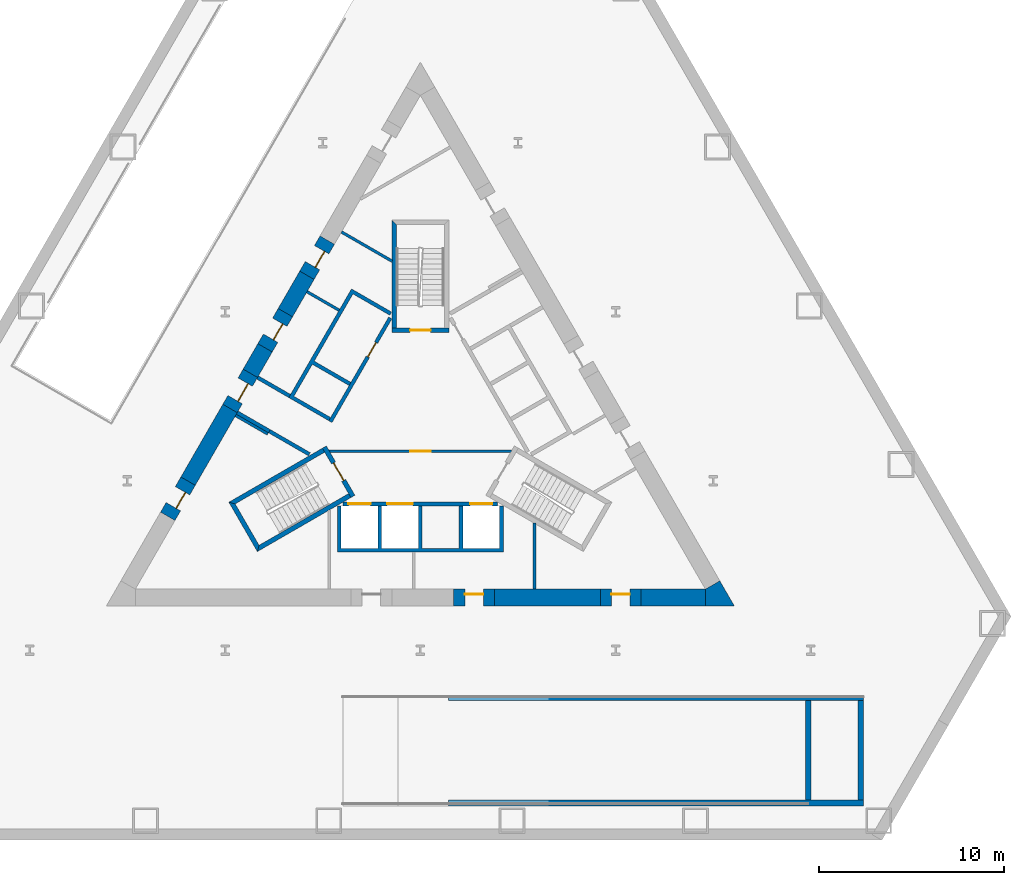
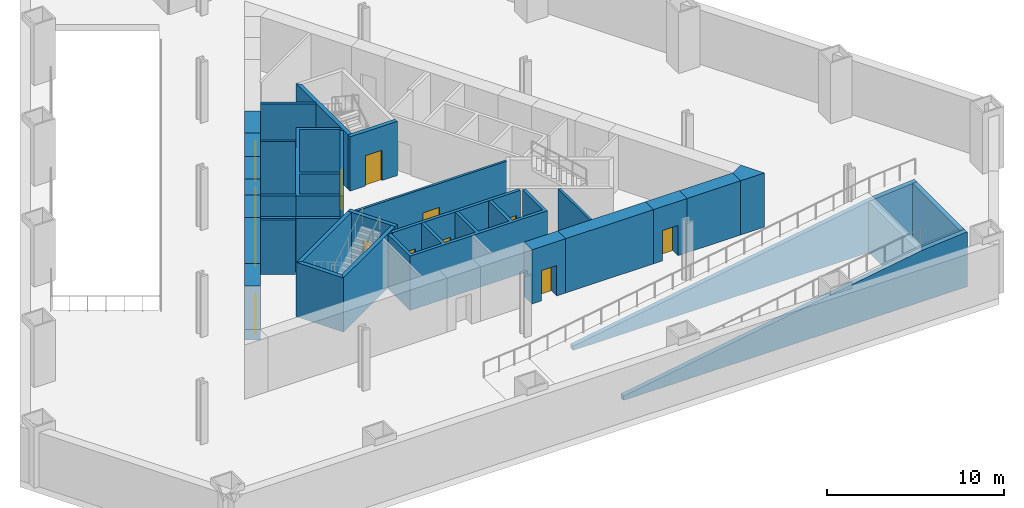
# One storey, part 2 of 5: 34 walls, 13 doors, 13 openings.
"""IFC4 building model written with IfcOpenShell, lengths in metres."""

import ifcopenshell
import ifcopenshell.guid

model = None  # the IFC model being written
_history = None  # IfcOwnerHistory: only IFC2X3 demands one
_inside = {}  # id of a spatial element -> (the spatial element, [elements in it])
_under = {}  # id of a project, library or spatial element -> (it, [spatial elements below it])
_declared = {}  # id of a project -> (the project, [libraries it declares])
_typed = {}  # id of a type object -> (the type object, [elements of that type])
_made_of = {}  # id of a material, layer set ... -> (it, [elements and type objects made of it])


def new_model(schema):
    """Start an empty IFC model of exactly this schema.

    Asked for "IFC4X3", IfcOpenShell would pick the latest addendum, in which some entities
    have other attributes; the version numbers below select the first issue.
    IFC2X3 requires an IfcOwnerHistory on every rooted entity: one is made here for all.
    """
    global model, _history
    if schema == "IFC4X3":
        model = ifcopenshell.file(schema_version=(4, 3, 0, 0))
    else:
        model = ifcopenshell.file(schema=schema)
    _inside.clear()
    _under.clear()
    _declared.clear()
    _typed.clear()
    _made_of.clear()
    _history = None
    if model.schema == "IFC2X3":
        org = make("IfcOrganization", Name="unknown")
        user = make(
            "IfcPersonAndOrganization",
            ThePerson=make("IfcPerson", FamilyName="unknown"),
            TheOrganization=org,
        )
        app = make(
            "IfcApplication",
            ApplicationDeveloper=org,
            Version="unknown",
            ApplicationFullName="unknown",
            ApplicationIdentifier="unknown",
        )
        _history = make(
            "IfcOwnerHistory",
            OwningUser=user,
            OwningApplication=app,
            ChangeAction="ADDED",
            CreationDate=0,
        )
    return model


def make(cls, **values):
    """One entity of the class cls with the attributes given. An attribute that is None is left unset."""
    return model.create_entity(
        cls, **{name: value for name, value in values.items() if value is not None}
    )


def rooted(cls, **values):
    """An entity with a GlobalId (a new one), such as an element, a storey or a relation."""
    return make(cls, GlobalId=ifcopenshell.guid.new(), OwnerHistory=_history, **values)


def si_unit(unit_type, name, prefix=None):
    """IfcSIUnit, for example si_unit("LENGTHUNIT", "METRE", prefix="MILLI")."""
    return make("IfcSIUnit", UnitType=unit_type, Prefix=prefix, Name=name)


def assignment(units):
    """IfcUnitAssignment: the units of a project."""
    return None if units is None else make("IfcUnitAssignment", Units=units)


def point(xyz):
    """IfcCartesianPoint."""
    return None if xyz is None else make("IfcCartesianPoint", Coordinates=xyz)


def direction(xyz):
    """IfcDirection."""
    return None if xyz is None else make("IfcDirection", DirectionRatios=xyz)


def frame(location, z_axis=None, x_axis=None):
    """IfcAxis2Placement3D, a coordinate frame: its origin and axes. An axis left out is left unset."""
    return make(
        "IfcAxis2Placement3D",
        Location=point(location),
        Axis=direction(z_axis),
        RefDirection=direction(x_axis),
    )


def frame_2d(location, x_axis=None):
    """IfcAxis2Placement2D, a coordinate frame in the plane: its origin and x axis."""
    return make(
        "IfcAxis2Placement2D", Location=point(location), RefDirection=direction(x_axis)
    )


def origin():
    """The frame at (0, 0, 0) with its axes left unset."""
    return frame((0.0, 0.0, 0.0))


def place(relative_to, where):
    """IfcLocalPlacement: puts the frame where relative to a parent placement (None: the world)."""
    return make(
        "IfcLocalPlacement", PlacementRelTo=relative_to, RelativePlacement=where
    )


def context(
    kind, dimensions, precision=None, world=None, true_north=None, identifier=None
):
    """IfcGeometricRepresentationContext, for example the 3D "Model" context."""
    return make(
        "IfcGeometricRepresentationContext",
        ContextIdentifier=identifier,
        ContextType=kind,
        CoordinateSpaceDimension=dimensions,
        Precision=precision,
        WorldCoordinateSystem=world,
        TrueNorth=true_north,
    )


def subcontext(parent, identifier, kind, view, scale=None):
    """IfcGeometricRepresentationSubContext, for example "Body" below "Model"."""
    return make(
        "IfcGeometricRepresentationSubContext",
        ContextIdentifier=identifier,
        ContextType=kind,
        ParentContext=parent,
        TargetScale=scale,
        TargetView=view,
    )


def project(units=None, contexts=None):
    """IfcProject with its units and contexts."""
    return rooted(
        "IfcProject",
        Name="project",
        RepresentationContexts=contexts,
        UnitsInContext=assignment(units),
    )


def spatial(cls, under=None, at=None, **own):
    """A site, building, storey or space (cls), placed at a placement, below another one or the project."""
    s = rooted(cls, ObjectPlacement=at, **own)
    if under is not None:
        _under.setdefault(under.id(), (under, []))[1].append(s)
    return s


def polyline(points):
    """IfcPolyline through the points."""
    return make("IfcPolyline", Points=[point(p) for p in points])


def profile(cls, at=None, kind="AREA", **sizes):
    """A parametric profile (cls). Its sizes go by their IFC names, for example OverallWidth=200.0."""
    return make(cls, ProfileType=kind, Position=at, **sizes)


def rectangle(**sizes):
    """IfcRectangleProfileDef."""
    return profile("IfcRectangleProfileDef", **sizes)


def outline(outer, holes=None, kind="AREA"):
    """IfcArbitraryClosedProfileDef: a profile drawn as a closed curve; with holes, ...WithVoids."""
    if holes is None:
        return make("IfcArbitraryClosedProfileDef", ProfileType=kind, OuterCurve=outer)
    return make(
        "IfcArbitraryProfileDefWithVoids",
        ProfileType=kind,
        OuterCurve=outer,
        InnerCurves=holes,
    )


def extrude(swept, where, along, depth):
    """IfcExtrudedAreaSolid: the profile swept, set in the frame where, extruded along a direction by depth."""
    return make(
        "IfcExtrudedAreaSolid",
        SweptArea=swept,
        Position=where,
        ExtrudedDirection=direction(along),
        Depth=depth,
    )


def shape(context_of_items, identifier, shape_type, items):
    """IfcShapeRepresentation: the items that make up one representation, for example the "Body"."""
    return make(
        "IfcShapeRepresentation",
        ContextOfItems=context_of_items,
        RepresentationIdentifier=identifier,
        RepresentationType=shape_type,
        Items=items,
    )


def material(Name=None, Category=None):
    """IfcMaterial."""
    return make("IfcMaterial", Name=Name, Category=Category)


def layer(
    of_material, thickness, ventilated=None, Name=None, Category=None, Priority=None
):
    """IfcMaterialLayer: one layer of a wall or slab, of a material (None: an air gap)."""
    return make(
        "IfcMaterialLayer",
        Material=of_material,
        LayerThickness=thickness,
        IsVentilated=ventilated,
        Name=Name,
        Category=Category,
        Priority=Priority,
    )


def layer_set(layers, Name=None):
    """IfcMaterialLayerSet."""
    return make("IfcMaterialLayerSet", MaterialLayers=layers, LayerSetName=Name)


def made_of(thing, what):
    """Note that an element or type object is made of a material, layer set ...; save() writes the relation."""
    if what is not None:
        _made_of.setdefault(what.id(), (what, []))[1].append(thing)
    return thing


def type_object(cls, material=None, **own):
    """A type object (cls), such as IfcWallType, which elements share."""
    return made_of(rooted(cls, **own), material)


def element(
    cls,
    number,
    at=None,
    inside=None,
    cuts=None,
    type_object=None,
    material=None,
    context=None,
    identifier="Body",
    shape_type=None,
    held_by="IfcProductDefinitionShape",
    body=None,
    shapes=None,
    **own,
):
    """One element of the class cls, such as IfcWall. Its Tag is "e" and its number.

    at: its placement. inside: the storey or other place that contains it. cuts: it is an
    opening in that element (IfcRelVoidsElement). A single representation is given by context,
    identifier, shape_type and body (its items); several are given by shapes. held_by: the class
    of the entity that holds the representations. save() writes the other relations.
    """
    e = rooted(cls, Tag="e%d" % number, ObjectPlacement=at, **own)
    if body is not None:
        shapes = [shape(context, identifier, shape_type, body)]
    if shapes is not None:
        e.Representation = make(held_by, Representations=shapes)
    if inside is not None:
        _inside.setdefault(inside.id(), (inside, []))[1].append(e)
    if cuts is not None:
        rooted(
            "IfcRelVoidsElement", RelatingBuildingElement=cuts, RelatedOpeningElement=e
        )
    if type_object is not None:
        _typed.setdefault(type_object.id(), (type_object, []))[1].append(e)
    return made_of(e, material)


def fill(opening, filler):
    """IfcRelFillsElement: the door or window that sits in an opening."""
    return rooted(
        "IfcRelFillsElement",
        RelatingOpeningElement=opening,
        RelatedBuildingElement=filler,
    )


def aggregate(whole, parts):
    """IfcRelAggregates: a whole, such as a stair, and the parts it consists of."""
    return rooted("IfcRelAggregates", RelatingObject=whole, RelatedObjects=parts)


def save(model, path):
    """Write the relations noted so far, then the file.

    IfcRelAggregates (storeys below a building ...), IfcRelContainedInSpatialStructure (elements
    in a storey), IfcRelDefinesByType, IfcRelAssociatesMaterial and IfcRelDeclares: one each for
    every whole, place, type object, material and project.
    """
    for whole, parts in _under.values():
        aggregate(whole, parts)
    for where, things in _inside.values():
        rooted(
            "IfcRelContainedInSpatialStructure",
            RelatedElements=things,
            RelatingStructure=where,
        )
    for kind, things in _typed.values():
        rooted("IfcRelDefinesByType", RelatedObjects=things, RelatingType=kind)
    for what, things in _made_of.values():
        rooted("IfcRelAssociatesMaterial", RelatedObjects=things, RelatingMaterial=what)
    for by, libraries in _declared.values():
        rooted("IfcRelDeclares", RelatingContext=by, RelatedDefinitions=libraries)
    model.write(path)


model = new_model("IFC4")

# Units and contexts
model_context = context("Model", 3, precision=1e-05, world=origin(), true_north=direction((0.0, 1.0)))
body_context = subcontext(model_context, "Body", "Model", "MODEL_VIEW")
ifc_project = project(units=[si_unit("LENGTHUNIT", "METRE"), si_unit("AREAUNIT", "SQUARE_METRE"), si_unit("VOLUMEUNIT", "CUBIC_METRE"), si_unit("PLANEANGLEUNIT", "RADIAN"), si_unit("MASSUNIT", "GRAM", prefix="KILO")], contexts=[model_context])

# Site, building, storey
site_placement = place(None, origin())
site = spatial("IfcSite", under=ifc_project, at=site_placement, CompositionType="ELEMENT")
building_placement = place(site_placement, origin())
building = spatial("IfcBuilding", under=site, at=building_placement, Name="Cormorant Prow Tower", CompositionType="ELEMENT")
storey_placement = place(building_placement, frame((0.0, 0.0, -4.199951171875)))
storey = spatial("IfcBuildingStorey", under=building, at=storey_placement, Name="B1", CompositionType="ELEMENT", Elevation=-4.199951171875)

# Wall, opening, door
ifc_material_1 = material(Name="Gypsum board partition")
ifc_layer_1 = layer(ifc_material_1, 0.14990234375)
ifc_layer_set_1 = layer_set([ifc_layer_1], Name="Gypsum board partition")
wall_type_1 = type_object("IfcWallType", Name="Core partition 150", PredefinedType="PARTITIONING", material=ifc_layer_set_1)
wall_1_placement = place(storey_placement, frame((-4.941162109375, -1.449951171875, 0.0), z_axis=(0.0, 0.0, 1.0), x_axis=(1.0, 0.0, 0.0)))
wall_1 = element("IfcWall", 1, at=wall_1_placement, inside=storey, type_object=wall_type_1, Name="Firefighting lobby partition", PredefinedType="PARTITIONING", context=body_context, shape_type="SweptSolid", body=[
    extrude(rectangle(XDim=9.88232421875, YDim=0.14990234375, at=frame_2d((4.941162109375, 0.0))), origin(), (0.0, 0.0, 1.0), 3.75),
])
opening_1_placement = place(wall_1_placement, frame((4.39111328125, 0.0, 0.0)))
opening_1 = element("IfcOpeningElement", 2, at=opening_1_placement, cuts=wall_1, Name="Opening B1-C06", PredefinedType="OPENING", context=body_context, shape_type="SweptSolid", body=[
    extrude(rectangle(XDim=1.10009765625, YDim=2.10009765625, at=frame_2d((0.550048828125, 1.050048828125))), frame((0.0, 0.0849609375, 0.0), z_axis=(0.0, -1.0, 0.0), x_axis=(1.0, 0.0, 0.0)), (0.0, 0.0, 1.0), 0.169921875),
])
ifc_material_2 = material(Name="Painted steel", Category="steel")
door_type_1 = type_object("IfcDoorType", Name="Firefighting lobby door 1100x2100", OperationType="NOTDEFINED", PredefinedType="DOOR", material=ifc_material_2)
door_1_placement = place(opening_1_placement, origin())
door_1 = element("IfcDoor", 3, at=door_1_placement, inside=storey, type_object=door_type_1, Name="Firefighting lobby door", OperationType="SINGLE_SWING_LEFT", OverallHeight=2.10009765625, OverallWidth=1.10009765625, PredefinedType="DOOR", context=body_context, shape_type="SweptSolid", body=[
    extrude(rectangle(XDim=1.10009765625, YDim=2.10009765625, at=frame_2d((0.550048828125, 1.050048828125))), frame((0.0, 0.02490234375, 0.0), z_axis=(0.0, -1.0, 0.0), x_axis=(1.0, 0.0, 0.0)), (0.0, 0.0, 1.0), 0.050048828125),
])
fill(opening_1, door_1)

# Walls
wall_2_placement = place(storey_placement, frame((-8.268310546875, -0.509033203125, 0.0), z_axis=(0.0, 0.0, 1.0), x_axis=(-0.866035824272, 0.499981950752, 0.0)))
element("IfcWall", 4, at=wall_2_placement, inside=storey, type_object=wall_type_1, Name="Service room partition", PredefinedType="PARTITIONING", context=body_context, shape_type="SweptSolid", body=[
    extrude(rectangle(XDim=2.0087890625, YDim=0.14990234375, at=frame_2d((1.00439453125, 0.0))), origin(), (0.0, 0.0, 1.0), 3.75),
])
wall_3_placement = place(storey_placement, frame((6.176513671875, -8.9150390625, 0.0), z_axis=(0.0, 0.0, 1.0), x_axis=(0.0, 1.0, 0.0)))
element("IfcWall", 5, at=wall_3_placement, inside=storey, type_object=wall_type_1, Name="Service room partition", PredefinedType="PARTITIONING", context=body_context, shape_type="SweptSolid", body=[
    extrude(rectangle(XDim=3.576171875, YDim=0.14990234375, at=frame_2d((1.7880859375, 0.0))), origin(), (0.0, 0.0, 1.0), 3.75),
])
wall_4_placement = place(storey_placement, frame((-6.139404296875, 7.196044921875, 0.0), z_axis=(0.0, 0.0, 1.0), x_axis=(0.866035824272, -0.499981950752, 0.0)))
element("IfcWall", 6, at=wall_4_placement, inside=storey, type_object=wall_type_1, Name="Service room partition", PredefinedType="PARTITIONING", context=body_context, shape_type="SweptSolid", body=[
    extrude(rectangle(XDim=2.0087890625, YDim=0.14990234375, at=frame_2d((1.00439453125, 0.0))), origin(), (0.0, 0.0, 1.0), 3.75),
])
wall_5_placement = place(storey_placement, frame((-4.271240234375, 10.431640625, 0.0), z_axis=(0.0, 0.0, 1.0), x_axis=(0.866018279777, -0.50001233894, 0.0)))
element("IfcWall", 7, at=wall_5_placement, inside=storey, type_object=wall_type_1, Name="Service room partition", PredefinedType="PARTITIONING", context=body_context, shape_type="SweptSolid", body=[
    extrude(rectangle(XDim=3.1591796875, YDim=0.14990234375, at=frame_2d((1.57958984375, 0.0))), origin(), (0.0, 0.0, 1.0), 3.75),
])
ifc_material_3 = material(Name="Concrete 8000 psi", Category="concrete")
ifc_layer_2 = layer(ifc_material_3, 0.89990234375)
ifc_layer_set_2 = layer_set([ifc_layer_2], Name="Concrete 8000 psi")
wall_type_2 = type_object("IfcWallType", Name="Core shear wall 900", PredefinedType="SHEAR", material=ifc_layer_set_2)
wall_6_placement = place(storey_placement, frame((4.007568359375, -9.364990234375, 0.0), z_axis=(0.0, 0.0, 1.0), x_axis=(1.0, 0.0, 0.0)))
element("IfcWall", 8, at=wall_6_placement, inside=storey, type_object=wall_type_2, Name="Core wall", PredefinedType="SHEAR", context=body_context, shape_type="SweptSolid", body=[
    extrude(rectangle(XDim=5.73876953125, YDim=0.89990234375, at=frame_2d((2.869384765625, 0.0))), origin(), (0.0, 0.0, 1.0), 3.75),
])
wall_7_placement = place(storey_placement, frame((11.9462890625, -9.364990234375, 0.0), z_axis=(0.0, 0.0, 1.0), x_axis=(1.0, 0.0, 0.0)))
element("IfcWall", 9, at=wall_7_placement, inside=storey, type_object=wall_type_2, Name="Core wall", PredefinedType="SHEAR", context=body_context, shape_type="SweptSolid", body=[
    extrude(rectangle(XDim=3.494873046875, YDim=0.89990234375, at=frame_2d((1.74755859375, 0.0))), origin(), (0.0, 0.0, 1.0), 3.75),
])
wall_8_placement = place(storey_placement, frame((-10.310302734375, 0.8720703125, 0.0), z_axis=(0.0, 0.0, 1.0), x_axis=(-0.499968858743, -0.866043382451, 0.0)))
element("IfcWall", 10, at=wall_8_placement, inside=storey, type_object=wall_type_2, Name="Core wall", PredefinedType="SHEAR", context=body_context, shape_type="SweptSolid", body=[
    extrude(rectangle(XDim=4.545654296875, YDim=0.89990234375, at=frame_2d((2.27294921875, 0.0))), origin(), (0.0, 0.0, 1.0), 3.75),
])
wall_9_placement = place(storey_placement, frame((-6.14501953125, 8.086181640625, 0.0), z_axis=(0.0, 0.0, 1.0), x_axis=(-0.500026924946, -0.866009858102, 0.0)))
element("IfcWall", 11, at=wall_9_placement, inside=storey, type_object=wall_type_2, Name="Core wall", PredefinedType="SHEAR", context=body_context, shape_type="SweptSolid", body=[
    extrude(rectangle(XDim=2.336669921875, YDim=0.89990234375, at=frame_2d((1.16845703125, 0.0))), origin(), (0.0, 0.0, 1.0), 3.75),
])
wall_10_placement = place(storey_placement, frame((-8.413330078125, 4.157470703125, 0.0), z_axis=(0.0, 0.0, 1.0), x_axis=(-0.499961121316, -0.86604784924, 0.0)))
element("IfcWall", 12, at=wall_10_placement, inside=storey, type_object=wall_type_2, Name="Core wall", PredefinedType="SHEAR", context=body_context, shape_type="SweptSolid", body=[
    extrude(rectangle(XDim=1.593994140625, YDim=0.89990234375, at=frame_2d((0.796875, 0.0))), origin(), (0.0, 0.0, 1.0), 3.75),
])
wall_11_placement = place(storey_placement, origin())
element("IfcWall", 13, at=wall_11_placement, inside=storey, type_object=wall_type_2, Name="Core wall corner", PredefinedType="SHEAR", context=body_context, shape_type="SweptSolid", body=[
    extrude(outline(polyline([(15.441162109375, -9.81494140625), (15.441162109375, -8.9150390625), (16.220703125, -8.465087890625), (17.0, -9.81494140625), (15.441162109375, -9.81494140625)])), origin(), (0.0, 0.0, 1.0), 3.75),
])

# Wall, opening, door
wall_12_placement = place(storey_placement, frame((1.8076171875, -9.364990234375, 0.0), z_axis=(0.0, 0.0, 1.0), x_axis=(1.0, 0.0, 0.0)))
wall_12 = element("IfcWall", 14, at=wall_12_placement, inside=storey, type_object=wall_type_2, Name="Core wall door panel", PredefinedType="SHEAR", context=body_context, shape_type="SweptSolid", body=[
    extrude(rectangle(XDim=2.199951171875, YDim=0.89990234375, at=frame_2d((1.10009765625, 0.0))), origin(), (0.0, 0.0, 1.0), 3.75),
])
opening_2_placement = place(wall_12_placement, frame((0.60009765625, 0.0, 0.0)))
opening_2 = element("IfcOpeningElement", 15, at=opening_2_placement, cuts=wall_12, Name="Opening B1-C11", PredefinedType="OPENING", context=body_context, shape_type="SweptSolid", body=[
    extrude(rectangle(XDim=1.0, YDim=2.10009765625, at=frame_2d((0.5, 1.050048828125))), frame((0.0, 0.4599609375, 0.0), z_axis=(0.0, -1.0, 0.0), x_axis=(1.0, 0.0, 0.0)), (0.0, 0.0, 1.0), 0.919921875),
])
ifc_material_4 = material(Name="Painted steel", Category="steel")
door_type_2 = type_object("IfcDoorType", Name="Service door 1000x2100", OperationType="NOTDEFINED", PredefinedType="DOOR", material=ifc_material_4)
door_2_placement = place(opening_2_placement, origin())
door_2 = element("IfcDoor", 16, at=door_2_placement, inside=storey, type_object=door_type_2, Name="Core door, Electrical room", OperationType="SINGLE_SWING_RIGHT", OverallHeight=2.10009765625, OverallWidth=1.0, PredefinedType="DOOR", context=body_context, shape_type="SweptSolid", body=[
    extrude(rectangle(XDim=1.0, YDim=2.10009765625, at=frame_2d((0.5, 1.050048828125))), frame((0.0, 0.205078125, 0.0), z_axis=(0.0, -1.0, 0.0), x_axis=(1.0, 0.0, 0.0)), (0.0, 0.0, 1.0), 0.050048828125),
])
fill(opening_2, door_2)

wall_13_placement = place(storey_placement, frame((9.746337890625, -9.364990234375, 0.0), z_axis=(0.0, 0.0, 1.0), x_axis=(1.0, 0.0, 0.0)))
wall_13 = element("IfcWall", 17, at=wall_13_placement, inside=storey, type_object=wall_type_2, Name="Core wall door panel", PredefinedType="SHEAR", context=body_context, shape_type="SweptSolid", body=[
    extrude(rectangle(XDim=2.199951171875, YDim=0.89990234375, at=frame_2d((1.10009765625, 0.0))), origin(), (0.0, 0.0, 1.0), 3.75),
])
opening_3_placement = place(wall_13_placement, frame((0.60009765625, 0.0, 0.0)))
opening_3 = element("IfcOpeningElement", 18, at=opening_3_placement, cuts=wall_13, Name="Opening B1-C12", PredefinedType="OPENING", context=body_context, shape_type="SweptSolid", body=[
    extrude(rectangle(XDim=1.0, YDim=2.10009765625, at=frame_2d((0.5, 1.050048828125))), frame((0.0, 0.4599609375, 0.0), z_axis=(0.0, -1.0, 0.0), x_axis=(1.0, 0.0, 0.0)), (0.0, 0.0, 1.0), 0.919921875),
])
door_3_placement = place(opening_3_placement, origin())
door_3 = element("IfcDoor", 19, at=door_3_placement, inside=storey, type_object=door_type_2, Name="Core door, Linen store", OperationType="SINGLE_SWING_RIGHT", OverallHeight=2.10009765625, OverallWidth=1.0, PredefinedType="DOOR", context=body_context, shape_type="SweptSolid", body=[
    extrude(rectangle(XDim=1.0, YDim=2.10009765625, at=frame_2d((0.5, 1.050048828125))), frame((0.0, 0.205078125, 0.0), z_axis=(0.0, -1.0, 0.0), x_axis=(1.0, 0.0, 0.0)), (0.0, 0.0, 1.0), 0.050048828125),
])
fill(opening_3, door_3)

wall_14_placement = place(storey_placement, frame((-12.5830078125, -3.064697265625, 0.0), z_axis=(0.0, 0.0, 1.0), x_axis=(-0.50002983664, -0.866008176907, 0.0)))
wall_14 = element("IfcWall", 20, at=wall_14_placement, inside=storey, type_object=wall_type_2, Name="Core wall door panel", PredefinedType="SHEAR", context=body_context, shape_type="SweptSolid", body=[
    extrude(rectangle(XDim=2.199951171875, YDim=0.89990234375, at=frame_2d((1.10009765625, 0.0))), origin(), (0.0, 0.0, 1.0), 3.75),
])
opening_4_placement = place(wall_14_placement, frame((0.60009765625, 0.0, 0.0)))
opening_4 = element("IfcOpeningElement", 21, at=opening_4_placement, cuts=wall_14, Name="Opening B1-C13", PredefinedType="OPENING", context=body_context, shape_type="SweptSolid", body=[
    extrude(rectangle(XDim=1.0, YDim=2.10009765625, at=frame_2d((0.5, 1.050048828125))), frame((0.0, 0.4599609375, 0.0), z_axis=(0.0, -1.0, 0.0), x_axis=(1.0, 0.0, 0.0)), (0.0, 0.0, 1.0), 0.919921875),
])
door_4_placement = place(opening_4_placement, origin())
door_4 = element("IfcDoor", 22, at=door_4_placement, inside=storey, type_object=door_type_2, Name="Core door, Refuse store", OperationType="SINGLE_SWING_RIGHT", OverallHeight=2.10009765625, OverallWidth=1.0, PredefinedType="DOOR", context=body_context, shape_type="SweptSolid", body=[
    extrude(rectangle(XDim=1.0, YDim=2.10009765625, at=frame_2d((0.5, 1.050048828125))), frame((0.0, 0.205078125, 0.0), z_axis=(0.0, -1.0, 0.0), x_axis=(1.0, 0.0, 0.0)), (0.0, 0.0, 1.0), 0.050048828125),
])
fill(opening_4, door_4)

wall_15_placement = place(storey_placement, frame((-7.3134765625, 6.0625, 0.0), z_axis=(0.0, 0.0, 1.0), x_axis=(-0.500077893725, -0.86598042715, 0.0)))
wall_15 = element("IfcWall", 23, at=wall_15_placement, inside=storey, type_object=wall_type_2, Name="Core wall door panel", PredefinedType="SHEAR", context=body_context, shape_type="SweptSolid", body=[
    extrude(rectangle(XDim=2.199951171875, YDim=0.89990234375, at=frame_2d((1.10009765625, 0.0))), origin(), (0.0, 0.0, 1.0), 3.75),
])
opening_5_placement = place(wall_15_placement, frame((0.60009765625, 0.0, 0.0)))
opening_5 = element("IfcOpeningElement", 24, at=opening_5_placement, cuts=wall_15, Name="Opening B1-C16", PredefinedType="OPENING", context=body_context, shape_type="SweptSolid", body=[
    extrude(rectangle(XDim=1.0, YDim=2.10009765625, at=frame_2d((0.5, 1.050048828125))), frame((0.0, 0.4599609375, 0.0), z_axis=(0.0, -1.0, 0.0), x_axis=(1.0, 0.0, 0.0)), (0.0, 0.0, 1.0), 0.919921875),
])
door_5_placement = place(opening_5_placement, origin())
door_5 = element("IfcDoor", 25, at=door_5_placement, inside=storey, type_object=door_type_2, Name="Core door, Linen store", OperationType="SINGLE_SWING_LEFT", OverallHeight=2.10009765625, OverallWidth=1.0, PredefinedType="DOOR", context=body_context, shape_type="SweptSolid", body=[
    extrude(rectangle(XDim=1.0, YDim=2.10009765625, at=frame_2d((0.5, 1.050048828125))), frame((0.0, 0.205078125, 0.0), z_axis=(0.0, -1.0, 0.0), x_axis=(1.0, 0.0, 0.0)), (0.0, 0.0, 1.0), 0.050048828125),
])
fill(opening_5, door_5)

wall_16_placement = place(storey_placement, frame((-5.045166015625, 9.99169921875, 0.0), z_axis=(0.0, 0.0, 1.0), x_axis=(-0.499898558967, -0.866083962871, 0.0)))
wall_16 = element("IfcWall", 26, at=wall_16_placement, inside=storey, type_object=wall_type_2, Name="Core wall door panel", PredefinedType="SHEAR", context=body_context, shape_type="SweptSolid", body=[
    extrude(rectangle(XDim=2.2001953125, YDim=0.89990234375, at=frame_2d((1.10009765625, 0.0))), origin(), (0.0, 0.0, 1.0), 3.75),
])
opening_6_placement = place(wall_16_placement, frame((0.60009765625, 0.0, 0.0)))
opening_6 = element("IfcOpeningElement", 27, at=opening_6_placement, cuts=wall_16, Name="Opening B1-C17", PredefinedType="OPENING", context=body_context, shape_type="SweptSolid", body=[
    extrude(rectangle(XDim=1.0, YDim=2.10009765625, at=frame_2d((0.5, 1.050048828125))), frame((0.0, 0.4599609375, 0.0), z_axis=(0.0, -1.0, 0.0), x_axis=(1.0, 0.0, 0.0)), (0.0, 0.0, 1.0), 0.919921875),
])
door_6_placement = place(opening_6_placement, origin())
door_6 = element("IfcDoor", 28, at=door_6_placement, inside=storey, type_object=door_type_2, Name="Core door, Refuse store", OperationType="SINGLE_SWING_LEFT", OverallHeight=2.10009765625, OverallWidth=1.0, PredefinedType="DOOR", context=body_context, shape_type="SweptSolid", body=[
    extrude(rectangle(XDim=1.0, YDim=2.10009765625, at=frame_2d((0.5, 1.050048828125))), frame((0.0, 0.205078125, 0.0), z_axis=(0.0, -1.0, 0.0), x_axis=(1.0, 0.0, 0.0)), (0.0, 0.0, 1.0), 0.050048828125),
])
fill(opening_6, door_6)

wall_17_placement = place(storey_placement, frame((-9.210205078125, 2.777099609375, 0.0), z_axis=(0.0, 0.0, 1.0), x_axis=(-0.500077893725, -0.86598042715, 0.0)))
wall_17 = element("IfcWall", 29, at=wall_17_placement, inside=storey, type_object=wall_type_2, Name="Core wall door panel", PredefinedType="SHEAR", context=body_context, shape_type="SweptSolid", body=[
    extrude(rectangle(XDim=2.199951171875, YDim=0.89990234375, at=frame_2d((1.10009765625, 0.0))), origin(), (0.0, 0.0, 1.0), 3.75),
])
opening_7_placement = place(wall_17_placement, frame((0.550048828125, 0.0, 0.0)))
opening_7 = element("IfcOpeningElement", 30, at=opening_7_placement, cuts=wall_17, Name="Opening B1-C20", PredefinedType="OPENING", context=body_context, shape_type="SweptSolid", body=[
    extrude(rectangle(XDim=1.10009765625, YDim=2.10009765625, at=frame_2d((0.550048828125, 1.050048828125))), frame((0.0, 0.4599609375, 0.0), z_axis=(0.0, -1.0, 0.0), x_axis=(1.0, 0.0, 0.0)), (0.0, 0.0, 1.0), 0.919921875),
])
ifc_material_5 = material(Name="Painted steel", Category="steel")
door_type_3 = type_object("IfcDoorType", Name="Core door 1100x2100", OperationType="NOTDEFINED", PredefinedType="DOOR", material=ifc_material_5)
door_7_placement = place(opening_7_placement, origin())
door_7 = element("IfcDoor", 31, at=door_7_placement, inside=storey, type_object=door_type_3, Name="Core door, lift lobby", OperationType="SINGLE_SWING_LEFT", OverallHeight=2.10009765625, OverallWidth=1.10009765625, PredefinedType="DOOR", context=body_context, shape_type="SweptSolid", body=[
    extrude(rectangle(XDim=1.10009765625, YDim=2.10009765625, at=frame_2d((0.550048828125, 1.050048828125))), frame((0.0, 0.205078125, 0.0), z_axis=(0.0, -1.0, 0.0), x_axis=(1.0, 0.0, 0.0)), (0.0, 0.0, 1.0), 0.050048828125),
])
fill(opening_7, door_7)

# Wall, openings, doors
ifc_material_6 = material(Name="Concrete 5000 psi", Category="concrete")
ifc_layer_3 = layer(ifc_material_6, 0.199951171875)
ifc_layer_set_3 = layer_set([ifc_layer_3], Name="Concrete 5000 psi")
wall_type_3 = type_object("IfcWallType", Name="Lift lobby wall 200", PredefinedType="SOLIDWALL", material=ifc_layer_set_3)
wall_18_placement = place(storey_placement, frame((-4.1865234375, -4.300048828125, 0.0), z_axis=(0.0, 0.0, 1.0), x_axis=(1.0, 0.0, 0.0)))
wall_18 = element("IfcWall", 32, at=wall_18_placement, inside=storey, type_object=wall_type_3, Name="Lift lobby wall, S block", PredefinedType="SOLIDWALL", context=body_context, shape_type="SweptSolid", body=[
    extrude(rectangle(XDim=8.373046875, YDim=0.199951171875, at=frame_2d((4.1865234375, 0.0))), origin(), (0.0, 0.0, 1.0), 3.75),
])
opening_8_placement = place(wall_18_placement, frame((0.28662109375, 0.0, 0.0)))
opening_8 = element("IfcOpeningElement", 33, at=opening_8_placement, cuts=wall_18, Name="Opening B1-C01", PredefinedType="OPENING", context=body_context, shape_type="SweptSolid", body=[
    extrude(rectangle(XDim=1.199951171875, YDim=2.10009765625, at=frame_2d((0.60009765625, 1.050048828125))), frame((0.0, 0.10986328125, 0.0), z_axis=(0.0, -1.0, 0.0), x_axis=(1.0, 0.0, 0.0)), (0.0, 0.0, 1.0), 0.219970703125),
])
opening_9_placement = place(wall_18_placement, frame((2.38671875, 0.0, 0.0)))
opening_9 = element("IfcOpeningElement", 34, at=opening_9_placement, cuts=wall_18, Name="Opening B1-C02", PredefinedType="OPENING", context=body_context, shape_type="SweptSolid", body=[
    extrude(rectangle(XDim=1.39990234375, YDim=2.10009765625, at=frame_2d((0.699951171875, 1.050048828125))), frame((0.0, 0.10986328125, 0.0), z_axis=(0.0, -1.0, 0.0), x_axis=(1.0, 0.0, 0.0)), (0.0, 0.0, 1.0), 0.219970703125),
])
opening_10_placement = place(wall_18_placement, frame((6.88671875, 0.0, 0.0)))
opening_10 = element("IfcOpeningElement", 35, at=opening_10_placement, cuts=wall_18, Name="Opening B1-C03", PredefinedType="OPENING", context=body_context, shape_type="SweptSolid", body=[
    extrude(rectangle(XDim=1.199951171875, YDim=2.10009765625, at=frame_2d((0.60009765625, 1.050048828125))), frame((0.0, 0.10986328125, 0.0), z_axis=(0.0, -1.0, 0.0), x_axis=(1.0, 0.0, 0.0)), (0.0, 0.0, 1.0), 0.219970703125),
])
ifc_material_7 = material(Name="Painted steel", Category="steel")
door_type_4 = type_object("IfcDoorType", Name="Firefighting lift landing door 1200x2100", OperationType="SLIDING_TO_LEFT", PredefinedType="DOOR", material=ifc_material_7)
door_8_placement = place(opening_8_placement, origin())
door_8 = element("IfcDoor", 36, at=door_8_placement, inside=storey, type_object=door_type_4, Name="Landing door FL1", OperationType="SLIDING_TO_LEFT", OverallHeight=2.10009765625, OverallWidth=1.199951171875, PredefinedType="DOOR", context=body_context, shape_type="SweptSolid", body=[
    extrude(rectangle(XDim=1.199951171875, YDim=2.10009765625, at=frame_2d((0.60009765625, 1.050048828125))), frame((0.0, 0.02490234375, 0.0), z_axis=(0.0, -1.0, 0.0), x_axis=(1.0, 0.0, 0.0)), (0.0, 0.0, 1.0), 0.050048828125),
])
fill(opening_8, door_8)
door_9_placement = place(opening_10_placement, origin())
door_9 = element("IfcDoor", 37, at=door_9_placement, inside=storey, type_object=door_type_4, Name="Landing door FL2", OperationType="SLIDING_TO_LEFT", OverallHeight=2.10009765625, OverallWidth=1.199951171875, PredefinedType="DOOR", context=body_context, shape_type="SweptSolid", body=[
    extrude(rectangle(XDim=1.199951171875, YDim=2.10009765625, at=frame_2d((0.60009765625, 1.050048828125))), frame((0.0, 0.02490234375, 0.0), z_axis=(0.0, -1.0, 0.0), x_axis=(1.0, 0.0, 0.0)), (0.0, 0.0, 1.0), 0.050048828125),
])
fill(opening_10, door_9)
ifc_material_8 = material(Name="Painted steel", Category="steel")
door_type_5 = type_object("IfcDoorType", Name="Service lift landing door 1400x2100", OperationType="SLIDING_TO_LEFT", PredefinedType="DOOR", material=ifc_material_8)
door_10_placement = place(opening_9_placement, origin())
door_10 = element("IfcDoor", 38, at=door_10_placement, inside=storey, type_object=door_type_5, Name="Landing door SL1", OperationType="SLIDING_TO_LEFT", OverallHeight=2.10009765625, OverallWidth=1.39990234375, PredefinedType="DOOR", context=body_context, shape_type="SweptSolid", body=[
    extrude(rectangle(XDim=1.39990234375, YDim=2.10009765625, at=frame_2d((0.699951171875, 1.050048828125))), frame((0.0, 0.02490234375, 0.0), z_axis=(0.0, -1.0, 0.0), x_axis=(1.0, 0.0, 0.0)), (0.0, 0.0, 1.0), 0.050048828125),
])
fill(opening_9, door_10)

# Wall, opening, door
wall_19_placement = place(storey_placement, frame((-1.630615234375, 5.775634765625, 0.0), z_axis=(0.0, 0.0, 1.0), x_axis=(-0.499992876559, -0.866029516466, 0.0)))
wall_19 = element("IfcWall", 39, at=wall_19_placement, inside=storey, type_object=wall_type_3, Name="Lift lobby wall, WNW block", PredefinedType="SOLIDWALL", context=body_context, shape_type="SweptSolid", body=[
    extrude(rectangle(XDim=6.486328125, YDim=0.199951171875, at=frame_2d((3.2431640625, 0.0))), origin(), (0.0, 0.0, 1.0), 3.75),
])
opening_11_placement = place(wall_19_placement, frame((1.53662109375, 0.0, 0.0)))
opening_11 = element("IfcOpeningElement", 40, at=opening_11_placement, cuts=wall_19, Name="Opening B1-C05", PredefinedType="OPENING", context=body_context, shape_type="SweptSolid", body=[
    extrude(rectangle(XDim=0.89990234375, YDim=2.10009765625, at=frame_2d((0.449951171875, 1.050048828125))), frame((0.0, 0.10986328125, 0.0), z_axis=(0.0, -1.0, 0.0), x_axis=(1.0, 0.0, 0.0)), (0.0, 0.0, 1.0), 0.219970703125),
])
ifc_material_9 = material(Name="Painted steel", Category="steel")
door_type_6 = type_object("IfcDoorType", Name="Service door 900x2100", OperationType="NOTDEFINED", PredefinedType="DOOR", material=ifc_material_9)
door_11_placement = place(opening_11_placement, origin())
door_11 = element("IfcDoor", 41, at=door_11_placement, inside=storey, type_object=door_type_6, Name="Service door, Linen store", OperationType="SINGLE_SWING_LEFT", OverallHeight=2.10009765625, OverallWidth=0.89990234375, PredefinedType="DOOR", context=body_context, shape_type="SweptSolid", body=[
    extrude(rectangle(XDim=0.89990234375, YDim=2.10009765625, at=frame_2d((0.449951171875, 1.050048828125))), frame((0.0, 0.02490234375, 0.0), z_axis=(0.0, -1.0, 0.0), x_axis=(1.0, 0.0, 0.0)), (0.0, 0.0, 1.0), 0.050048828125),
])
fill(opening_11, door_11)

# Walls
ifc_material_10 = material(Name="Concrete 8000 psi", Category="concrete")
ifc_layer_4 = layer(ifc_material_10, 0.199951171875)
ifc_layer_set_4 = layer_set([ifc_layer_4], Name="Concrete 8000 psi")
wall_type_4 = type_object("IfcWallType", Name="Lift shaft wall 200", PredefinedType="SHEAR", material=ifc_layer_set_4)
wall_20_placement = place(storey_placement, origin())
element("IfcWall", 42, at=wall_20_placement, inside=storey, type_object=wall_type_4, Name="Lift shaft walls, S block", PredefinedType="SHEAR", context=body_context, shape_type="SweptSolid", body=[
    extrude(outline(polyline([(4.5, -4.39990234375), (4.5, -6.906005859375), (-4.5, -6.906005859375), (-4.5, -4.39990234375), (-4.300048828125, -4.39990234375), (-4.300048828125, -6.699951171875), (-2.300048828125, -6.699951171875), (-2.300048828125, -4.39990234375), (-2.10009765625, -4.39990234375), (-2.10009765625, -6.699951171875), (-0.10009765625, -6.699951171875), (-0.10009765625, -4.39990234375), (0.10009765625, -4.39990234375), (0.10009765625, -6.699951171875), (2.10009765625, -6.699951171875), (2.10009765625, -4.39990234375), (2.300048828125, -4.39990234375), (2.300048828125, -6.699951171875), (4.300048828125, -6.699951171875), (4.300048828125, -4.39990234375), (4.5, -4.39990234375)])), origin(), (0.0, 0.0, 1.0), 3.75),
])
wall_21_placement = place(storey_placement, origin())
element("IfcWall", 43, at=wall_21_placement, inside=storey, type_object=wall_type_4, Name="Lift shaft walls, WNW block", PredefinedType="SHEAR", context=body_context, shape_type="SweptSolid", body=[
    extrude(outline(polyline([(-6.060546875, -1.697021484375), (-8.230712890625, -0.444091796875), (-8.130859375, -0.27099609375), (-5.96044921875, -1.52392578125), (-6.060546875, -1.697021484375)])), origin(), (0.0, 0.0, 1.0), 3.75),
])
wall_22_placement = place(storey_placement, origin())
element("IfcWall", 44, at=wall_22_placement, inside=storey, type_object=wall_type_4, Name="Lift shaft walls, WNW block", PredefinedType="SHEAR", context=body_context, shape_type="SweptSolid", body=[
    extrude(outline(polyline([(-4.96044921875, 0.2080078125), (-7.130859375, 1.461181640625), (-3.730712890625, 7.35009765625), (-1.560546875, 6.09716796875), (-1.660400390625, 5.923828125), (-3.65234375, 7.073974609375), (-5.75244140625, 3.4365234375), (-3.760498046875, 2.28662109375), (-3.860595703125, 2.11328125), (-5.852294921875, 3.263427734375), (-6.852294921875, 1.53125), (-4.860595703125, 0.38134765625), (-4.96044921875, 0.2080078125)])), origin(), (0.0, 0.0, 1.0), 3.75),
])
wall_23_placement = place(storey_placement, frame((-7.080810546875, 1.547607421875, 0.0), z_axis=(0.0, 0.0, 1.0), x_axis=(-0.865983199114, 0.50007309351, 0.0)))
element("IfcWall", 45, at=wall_23_placement, inside=storey, type_object=wall_type_4, Name="Lobby passage wall", PredefinedType="SHEAR", context=body_context, shape_type="SweptSolid", body=[
    extrude(rectangle(XDim=2.009033203125, YDim=0.199951171875, at=frame_2d((1.00439453125, 0.0))), origin(), (0.0, 0.0, 1.0), 3.75),
])
wall_24_placement = place(storey_placement, frame((-8.180908203125, -0.357421875, 0.0), z_axis=(0.0, 0.0, 1.0), x_axis=(-0.866035824272, 0.499981950752, 0.0)))
element("IfcWall", 46, at=wall_24_placement, inside=storey, type_object=wall_type_4, Name="Lobby passage wall", PredefinedType="SHEAR", context=body_context, shape_type="SweptSolid", body=[
    extrude(rectangle(XDim=2.0087890625, YDim=0.199951171875, at=frame_2d((1.00439453125, 0.0))), origin(), (0.0, 0.0, 1.0), 3.75),
])
ifc_material_11 = material(Name="Concrete 5000 psi", Category="concrete")
ifc_layer_5 = layer(ifc_material_11, 0.300048828125)
ifc_layer_set_5 = layer_set([ifc_layer_5], Name="Concrete 5000 psi")
wall_type_5 = type_object("IfcWallType", Name="Ramp support wall 300", PredefinedType="SHEAR", material=ifc_layer_set_5)
for number, where, z_axis, x_axis, name in (
    (47, (24.0, -14.800048828125, 0.0), (0.0, 0.0, 1.0), (-1.0, 0.0, 0.0), "Vehicle ramp 3 inner support wall"),
    (48, (24.0, -20.5, 0.0), (0.0, 0.0, 1.0), (-1.0, 0.0, 0.0), "Vehicle ramp 3 outer support wall"),
):
    element("IfcWall", number, at=place(storey_placement, frame(where, z_axis=z_axis, x_axis=x_axis)), inside=storey, type_object=wall_type_5, Name=name, PredefinedType="SHEAR", context=body_context, shape_type="SweptSolid", body=[
        extrude(outline(polyline([(0.0, 0.0), (22.466796875, 0.0), (22.466796875, 0.300048828125), (3.0, 3.548583984375), (3.0, 3.54443359375), (0.0, 3.798583984375), (0.0, 0.0)])), frame((0.0, 0.14990234375, 0.0), z_axis=(0.0, -1.0, 0.0), x_axis=(1.0, 0.0, 0.0)), (0.0, 0.0, 1.0), 0.300048828125),
    ])
wall_25_placement = place(storey_placement, frame((21.0, -14.949951171875, 0.0), z_axis=(0.0, 0.0, 1.0), x_axis=(0.0, -1.0, 0.0)))
element("IfcWall", 49, at=wall_25_placement, inside=storey, type_object=wall_type_5, Name="Vehicle ramp 3 cross support wall 1", PredefinedType="SHEAR", context=body_context, shape_type="SweptSolid", body=[
    extrude(rectangle(XDim=5.400146484375, YDim=0.300048828125, at=frame_2d((2.7001953125, 0.0))), origin(), (0.0, 0.0, 1.0), 3.54443359375),
])
wall_26_placement = place(storey_placement, frame((23.85009765625, -14.949951171875, 0.0), z_axis=(0.0, 0.0, 1.0), x_axis=(0.0, -1.0, 0.0)))
element("IfcWall", 50, at=wall_26_placement, inside=storey, type_object=wall_type_5, Name="Vehicle ramp 3 head support wall", PredefinedType="SHEAR", context=body_context, shape_type="SweptSolid", body=[
    extrude(rectangle(XDim=5.400146484375, YDim=0.300048828125, at=frame_2d((2.7001953125, 0.0))), origin(), (0.0, 0.0, 1.0), 3.798583984375),
])
ifc_material_12 = material(Name="Concrete 8000 psi", Category="concrete")
ifc_layer_6 = layer(ifc_material_12, 0.25)
ifc_layer_set_6 = layer_set([ifc_layer_6], Name="Concrete 8000 psi")
wall_type_6 = type_object("IfcWallType", Name="Stair wall 250", PredefinedType="SHEAR", material=ifc_layer_set_6)
wall_27_placement = place(storey_placement, origin())
element("IfcWall", 51, at=wall_27_placement, inside=storey, type_object=wall_type_6, Name="Stair ST1 enclosure wall (flank)", PredefinedType="SHEAR", context=body_context, shape_type="SweptSolid", body=[
    extrude(outline(polyline([(-5.30712890625, -1.28125), (-10.37353515625, -4.206298828125), (-10.031982421875, -4.2978515625), (-5.18212890625, -1.497802734375), (-5.30712890625, -1.28125)])), origin(), (0.0, 0.0, 1.0), 3.75),
])
wall_28_placement = place(storey_placement, origin())
element("IfcWall", 52, at=wall_28_placement, inside=storey, type_object=wall_type_6, Name="Stair ST1 enclosure wall (end)", PredefinedType="SHEAR", context=body_context, shape_type="SweptSolid", body=[
    extrude(outline(polyline([(-10.37353515625, -4.206298828125), (-8.82958984375, -6.880615234375), (-8.738037109375, -6.5390625), (-10.031982421875, -4.2978515625), (-10.37353515625, -4.206298828125)])), origin(), (0.0, 0.0, 1.0), 3.75),
])
wall_29_placement = place(storey_placement, origin())
element("IfcWall", 53, at=wall_29_placement, inside=storey, type_object=wall_type_6, Name="Stair ST1 enclosure wall (flank)", PredefinedType="SHEAR", context=body_context, shape_type="SweptSolid", body=[
    extrude(outline(polyline([(-8.738037109375, -6.5390625), (-8.82958984375, -6.880615234375), (-3.76318359375, -3.95556640625), (-3.88818359375, -3.739013671875), (-8.738037109375, -6.5390625)])), origin(), (0.0, 0.0, 1.0), 3.75),
])

# Wall, opening, door
wall_30_placement = place(storey_placement, frame((-5.198974609375, -1.21875, 0.0), z_axis=(0.0, 0.0, 1.0), x_axis=(0.499982516597, -0.866035497597, 0.0)))
wall_30 = element("IfcWall", 54, at=wall_30_placement, inside=storey, type_object=wall_type_6, Name="Stair ST1 door wall", PredefinedType="SHEAR", context=body_context, shape_type="SweptSolid", body=[
    extrude(rectangle(XDim=3.087890625, YDim=0.25, at=frame_2d((1.5439453125, 0.0))), origin(), (0.0, 0.0, 1.0), 3.75),
])
opening_12_placement = place(wall_30_placement, frame((0.993896484375, 0.0, 0.0)))
opening_12 = element("IfcOpeningElement", 55, at=opening_12_placement, cuts=wall_30, Name="Opening B1-C07", PredefinedType="OPENING", context=body_context, shape_type="SweptSolid", body=[
    extrude(rectangle(XDim=1.10009765625, YDim=2.10009765625, at=frame_2d((0.550048828125, 1.050048828125))), frame((0.0, 0.135009765625, 0.0), z_axis=(0.0, -1.0, 0.0), x_axis=(1.0, 0.0, 0.0)), (0.0, 0.0, 1.0), 0.27001953125),
])
ifc_material_13 = material(Name="Painted steel", Category="steel")
door_type_7 = type_object("IfcDoorType", Name="Stair door 1100x2100", OperationType="NOTDEFINED", PredefinedType="DOOR", material=ifc_material_13)
door_12_placement = place(opening_12_placement, origin())
door_12 = element("IfcDoor", 56, at=door_12_placement, inside=storey, type_object=door_type_7, Name="Stair ST1 door", OperationType="SINGLE_SWING_LEFT", OverallHeight=2.10009765625, OverallWidth=1.10009765625, PredefinedType="DOOR", context=body_context, shape_type="SweptSolid", body=[
    extrude(rectangle(XDim=1.10009765625, YDim=2.10009765625, at=frame_2d((0.550048828125, 1.050048828125))), frame((0.0, 0.02490234375, 0.0), z_axis=(0.0, -1.0, 0.0), x_axis=(1.0, 0.0, 0.0)), (0.0, 0.0, 1.0), 0.050048828125),
])
fill(opening_12, door_12)

# Wall
wall_31_placement = place(storey_placement, origin())
element("IfcWall", 57, at=wall_31_placement, inside=storey, type_object=wall_type_6, Name="Stair ST3 enclosure wall (flank)", PredefinedType="SHEAR", context=body_context, shape_type="SweptSolid", body=[
    extrude(outline(polyline([(-1.2939453125, 10.8369140625), (-1.5439453125, 11.0869140625), (-1.5439453125, 5.23681640625), (-1.2939453125, 5.23681640625), (-1.2939453125, 10.8369140625)])), origin(), (0.0, 0.0, 1.0), 3.75),
])

# Wall, opening, door
wall_32_placement = place(storey_placement, frame((1.5439453125, 5.11181640625, 0.0), z_axis=(0.0, 0.0, 1.0), x_axis=(-1.0, 0.0, 0.0)))
wall_32 = element("IfcWall", 58, at=wall_32_placement, inside=storey, type_object=wall_type_6, Name="Stair ST3 door wall", PredefinedType="SHEAR", context=body_context, shape_type="SweptSolid", body=[
    extrude(rectangle(XDim=3.087890625, YDim=0.25, at=frame_2d((1.5439453125, 0.0))), origin(), (0.0, 0.0, 1.0), 3.75),
])
opening_13_placement = place(wall_32_placement, frame((0.993896484375, 0.0, 0.0)))
opening_13 = element("IfcOpeningElement", 59, at=opening_13_placement, cuts=wall_32, Name="Opening B1-C09", PredefinedType="OPENING", context=body_context, shape_type="SweptSolid", body=[
    extrude(rectangle(XDim=1.10009765625, YDim=2.10009765625, at=frame_2d((0.550048828125, 1.050048828125))), frame((0.0, 0.135009765625, 0.0), z_axis=(0.0, -1.0, 0.0), x_axis=(1.0, 0.0, 0.0)), (0.0, 0.0, 1.0), 0.27001953125),
])
door_13_placement = place(opening_13_placement, origin())
door_13 = element("IfcDoor", 60, at=door_13_placement, inside=storey, type_object=door_type_7, Name="Stair ST3 door", OperationType="SINGLE_SWING_RIGHT", OverallHeight=2.10009765625, OverallWidth=1.10009765625, PredefinedType="DOOR", context=body_context, shape_type="SweptSolid", body=[
    extrude(rectangle(XDim=1.10009765625, YDim=2.10009765625, at=frame_2d((0.550048828125, 1.050048828125))), frame((0.0, 0.02490234375, 0.0), z_axis=(0.0, -1.0, 0.0), x_axis=(1.0, 0.0, 0.0)), (0.0, 0.0, 1.0), 0.050048828125),
])
fill(opening_13, door_13)

save(model, "model.ifc")
